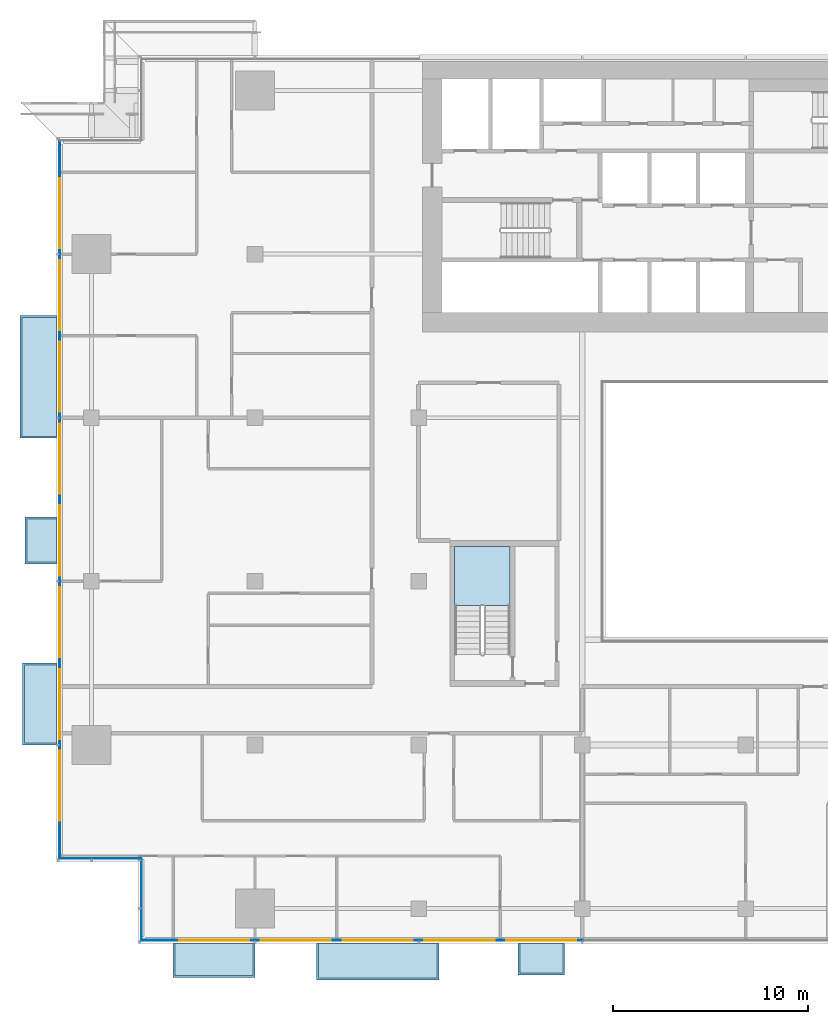
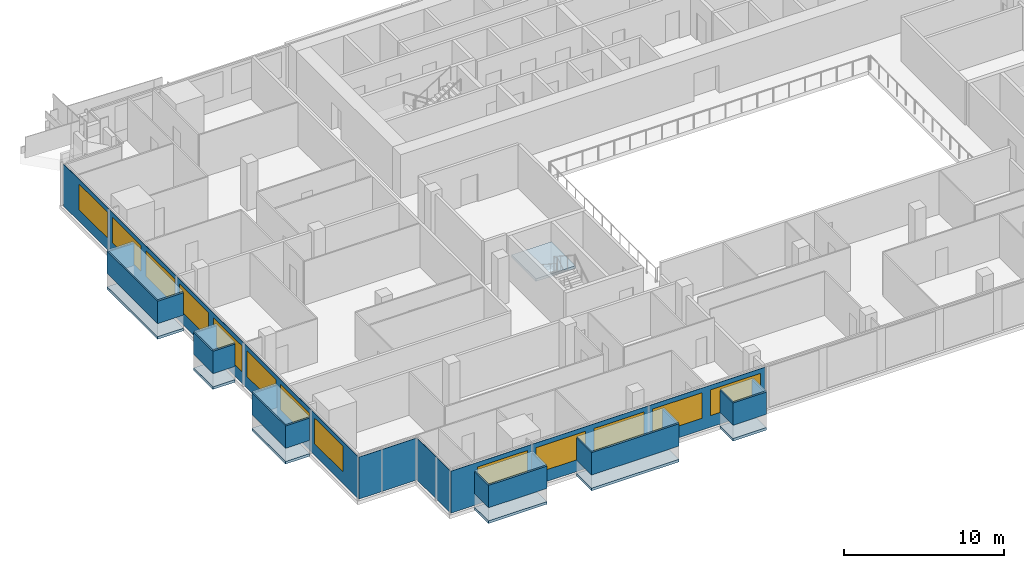
# One storey, part 14 of 29: 16 plates, 13 windows, 7 slabs, 13 openings, 5 elements without a shape of their own.
"""IFC4 building model written with IfcOpenShell, lengths in metres."""

from ifc_helpers import new_model, si_unit, direction, frame, frame_2d, origin, place, context, subcontext, project, spatial, polyline, rectangle, outline, extrude, material, layer, layer_set, type_object, element, fill, aggregate, save


model = new_model("IFC4")

# Units and contexts
model_context = context("Model", 3, precision=1e-05, world=origin(), true_north=direction((0.0, 1.0)))
body_context = subcontext(model_context, "Body", "Model", "MODEL_VIEW")
ifc_project = project(units=[si_unit("LENGTHUNIT", "METRE"), si_unit("AREAUNIT", "SQUARE_METRE"), si_unit("VOLUMEUNIT", "CUBIC_METRE"), si_unit("PLANEANGLEUNIT", "RADIAN"), si_unit("MASSUNIT", "GRAM", prefix="KILO")], contexts=[model_context])

# Site, building, storey
site_placement = place(None, origin())
site = spatial("IfcSite", under=ifc_project, at=site_placement, CompositionType="ELEMENT")
building_placement = place(site_placement, origin())
building = spatial("IfcBuilding", under=site, at=building_placement, Name="Saffron Gate Tower", CompositionType="ELEMENT")
storey_placement = place(building_placement, frame((0.0, 0.0, 106.050048828125)))
storey = spatial("IfcBuildingStorey", under=building, at=storey_placement, Name="L24", CompositionType="ELEMENT", Elevation=106.050048828125)

# Curtain wall, plate, openings, windows
ifc_material_1 = material(Name="Aluminium, bronze anodised", Category="aluminium")
curtain_wall_type_1 = type_object("IfcCurtainWallType", Name="CWS1 curtain wall front facade", PredefinedType="NOTDEFINED", material=ifc_material_1)
curtain_wall_1_placement = place(storey_placement, origin())
curtain_wall_1 = element("IfcCurtainWall", 1, at=curtain_wall_1_placement, inside=storey, type_object=curtain_wall_type_1, Name="CWS1 run 1", PredefinedType="NOTDEFINED")
ifc_material_2 = material(Name="Fritted bronze-tinted laminated glass", Category="glass")
ifc_layer_1 = layer(ifc_material_2, 0.028076171875)
ifc_layer_set_1 = layer_set([ifc_layer_1], Name="CWS1 fixed glass")
plate_type_1 = type_object("IfcPlateType", Name="CWS1 fixed glass", PredefinedType="CURTAIN_PANEL", material=ifc_layer_set_1)
plate_1_placement = place(storey_placement, frame((52.387939453125, 30.174072265625, 0.0), z_axis=(0.0, 0.0, 1.0), x_axis=(1.0, 0.0, 0.0)))
plate_1 = element("IfcPlate", 2, at=plate_1_placement, type_object=plate_type_1, Name="CWS1 glass panel", PredefinedType="CURTAIN_PANEL", context=body_context, shape_type="SweptSolid", body=[
    extrude(rectangle(XDim=22.64208984375, YDim=0.028076171875, at=frame_2d((11.321044921875, 0.0))), origin(), (0.0, 0.0, 1.0), 3.199951171875),
])
opening_1_placement = place(plate_1_placement, frame((1.912109375, 0.0, 0.89990234375)))
opening_1 = element("IfcOpeningElement", 3, at=opening_1_placement, cuts=plate_1, Name="Opening W1", PredefinedType="OPENING", context=body_context, shape_type="SweptSolid", body=[
    extrude(rectangle(XDim=3.60009765625, YDim=1.949951171875, at=frame_2d((1.800048828125, 0.97509765625))), frame((0.0, 0.02392578125, 0.0), z_axis=(0.0, -1.0, 0.0), x_axis=(1.0, 0.0, 0.0)), (0.0, 0.0, 1.0), 0.048095703125),
])
opening_2_placement = place(plate_1_placement, frame((6.112060546875, 0.0, 0.89990234375)))
opening_2 = element("IfcOpeningElement", 4, at=opening_2_placement, cuts=plate_1, Name="Opening W1", PredefinedType="OPENING", context=body_context, shape_type="SweptSolid", body=[
    extrude(rectangle(XDim=3.60009765625, YDim=1.949951171875, at=frame_2d((1.800048828125, 0.97509765625))), frame((0.0, 0.02392578125, 0.0), z_axis=(0.0, -1.0, 0.0), x_axis=(1.0, 0.0, 0.0)), (0.0, 0.0, 1.0), 0.048095703125),
])
opening_3_placement = place(plate_1_placement, frame((10.31201171875, 0.0, 0.89990234375)))
opening_3 = element("IfcOpeningElement", 5, at=opening_3_placement, cuts=plate_1, Name="Opening W1", PredefinedType="OPENING", context=body_context, shape_type="SweptSolid", body=[
    extrude(rectangle(XDim=3.60009765625, YDim=1.949951171875, at=frame_2d((1.800048828125, 0.97509765625))), frame((0.0, 0.02392578125, 0.0), z_axis=(0.0, -1.0, 0.0), x_axis=(1.0, 0.0, 0.0)), (0.0, 0.0, 1.0), 0.048095703125),
])
opening_4_placement = place(plate_1_placement, frame((14.511962890625, 0.0, 0.89990234375)))
opening_4 = element("IfcOpeningElement", 6, at=opening_4_placement, cuts=plate_1, Name="Opening W1", PredefinedType="OPENING", context=body_context, shape_type="SweptSolid", body=[
    extrude(rectangle(XDim=3.60009765625, YDim=1.949951171875, at=frame_2d((1.800048828125, 0.97509765625))), frame((0.0, 0.02392578125, 0.0), z_axis=(0.0, -1.0, 0.0), x_axis=(1.0, 0.0, 0.0)), (0.0, 0.0, 1.0), 0.048095703125),
])
opening_5_placement = place(plate_1_placement, frame((18.7119140625, 0.0, 0.89990234375)))
opening_5 = element("IfcOpeningElement", 7, at=opening_5_placement, cuts=plate_1, Name="Opening W1", PredefinedType="OPENING", context=body_context, shape_type="SweptSolid", body=[
    extrude(rectangle(XDim=3.60009765625, YDim=1.949951171875, at=frame_2d((1.800048828125, 0.97509765625))), frame((0.0, 0.02392578125, 0.0), z_axis=(0.0, -1.0, 0.0), x_axis=(1.0, 0.0, 0.0)), (0.0, 0.0, 1.0), 0.048095703125),
])
ifc_material_3 = material(Name="Fritted bronze-tinted laminated glass in bronze frame", Category="glass")
ifc_layer_2 = layer(ifc_material_3, 0.06005859375)
ifc_layer_set_2 = layer_set([ifc_layer_2], Name="W1 operable panel 3600x1950")
window_type = type_object("IfcWindowType", Name="W1 operable panel 3600x1950", PartitioningType="DOUBLE_PANEL_HORIZONTAL", PredefinedType="WINDOW", material=ifc_layer_set_2)
window_1_placement = place(opening_1_placement, origin())
window_1 = element("IfcWindow", 8, at=window_1_placement, type_object=window_type, Name="W1 operable panel", OverallHeight=1.949951171875, OverallWidth=3.60009765625, PartitioningType="SINGLE_PANEL", PredefinedType="WINDOW", context=body_context, shape_type="SweptSolid", body=[
    extrude(rectangle(XDim=3.60009765625, YDim=1.949951171875, at=frame_2d((1.800048828125, 0.97509765625))), frame((0.0, 0.013671875, 0.0), z_axis=(0.0, -1.0, 0.0), x_axis=(1.0, 0.0, 0.0)), (0.0, 0.0, 1.0), 0.027587890625),
])
fill(opening_1, window_1)
window_2_placement = place(opening_2_placement, origin())
window_2 = element("IfcWindow", 9, at=window_2_placement, type_object=window_type, Name="W1 operable panel", OverallHeight=1.949951171875, OverallWidth=3.60009765625, PartitioningType="SINGLE_PANEL", PredefinedType="WINDOW", context=body_context, shape_type="SweptSolid", body=[
    extrude(rectangle(XDim=3.60009765625, YDim=1.949951171875, at=frame_2d((1.800048828125, 0.97509765625))), frame((0.0, 0.013671875, 0.0), z_axis=(0.0, -1.0, 0.0), x_axis=(1.0, 0.0, 0.0)), (0.0, 0.0, 1.0), 0.027587890625),
])
fill(opening_2, window_2)
window_3_placement = place(opening_3_placement, origin())
window_3 = element("IfcWindow", 10, at=window_3_placement, type_object=window_type, Name="W1 operable panel", OverallHeight=1.949951171875, OverallWidth=3.60009765625, PartitioningType="SINGLE_PANEL", PredefinedType="WINDOW", context=body_context, shape_type="SweptSolid", body=[
    extrude(rectangle(XDim=3.60009765625, YDim=1.949951171875, at=frame_2d((1.800048828125, 0.97509765625))), frame((0.0, 0.013671875, 0.0), z_axis=(0.0, -1.0, 0.0), x_axis=(1.0, 0.0, 0.0)), (0.0, 0.0, 1.0), 0.027587890625),
])
fill(opening_3, window_3)
window_4_placement = place(opening_4_placement, origin())
window_4 = element("IfcWindow", 11, at=window_4_placement, type_object=window_type, Name="W1 operable panel", OverallHeight=1.949951171875, OverallWidth=3.60009765625, PartitioningType="SINGLE_PANEL", PredefinedType="WINDOW", context=body_context, shape_type="SweptSolid", body=[
    extrude(rectangle(XDim=3.60009765625, YDim=1.949951171875, at=frame_2d((1.800048828125, 0.97509765625))), frame((0.0, 0.013671875, 0.0), z_axis=(0.0, -1.0, 0.0), x_axis=(1.0, 0.0, 0.0)), (0.0, 0.0, 1.0), 0.027587890625),
])
fill(opening_4, window_4)
window_5_placement = place(opening_5_placement, origin())
window_5 = element("IfcWindow", 12, at=window_5_placement, type_object=window_type, Name="W1 operable panel", OverallHeight=1.949951171875, OverallWidth=3.60009765625, PartitioningType="SINGLE_PANEL", PredefinedType="WINDOW", context=body_context, shape_type="SweptSolid", body=[
    extrude(rectangle(XDim=3.60009765625, YDim=1.949951171875, at=frame_2d((1.800048828125, 0.97509765625))), frame((0.0, 0.013671875, 0.0), z_axis=(0.0, -1.0, 0.0), x_axis=(1.0, 0.0, 0.0)), (0.0, 0.0, 1.0), 0.027587890625),
])
fill(opening_5, window_5)
aggregate(curtain_wall_1, [plate_1, window_1, window_2, window_3, window_4, window_5])

curtain_wall_type_2 = type_object("IfcCurtainWallType", Name="CWS2 curtain wall side facades", PredefinedType="NOTDEFINED", material=ifc_material_1)
curtain_wall_2_placement = place(storey_placement, origin())
curtain_wall_2 = element("IfcCurtainWall", 13, at=curtain_wall_2_placement, inside=storey, type_object=curtain_wall_type_2, Name="CWS2 run 10", PredefinedType="NOTDEFINED")
ifc_layer_3 = layer(ifc_material_2, 0.028076171875)
ifc_layer_set_3 = layer_set([ifc_layer_3], Name="CWS2 fixed glass")
plate_type_2 = type_object("IfcPlateType", Name="CWS2 fixed glass", PredefinedType="CURTAIN_PANEL", material=ifc_layer_set_3)
plate_2_placement = place(storey_placement, frame((48.174072265625, 71.2119140625, 0.0), z_axis=(0.0, 0.0, 1.0), x_axis=(0.0, -1.0, 0.0)))
plate_2 = element("IfcPlate", 14, at=plate_2_placement, type_object=plate_type_2, Name="CWS2 glass panel", PredefinedType="CURTAIN_PANEL", context=body_context, shape_type="SweptSolid", body=[
    extrude(rectangle(XDim=36.823974609375, YDim=0.028076171875, at=frame_2d((18.412109375, 0.0))), origin(), (0.0, 0.0, 1.0), 3.199951171875),
])
opening_6_placement = place(plate_2_placement, frame((1.912109375, 0.0, 0.89990234375)))
opening_6 = element("IfcOpeningElement", 15, at=opening_6_placement, cuts=plate_2, Name="Opening W1", PredefinedType="OPENING", context=body_context, shape_type="SweptSolid", body=[
    extrude(rectangle(XDim=3.60009765625, YDim=1.949951171875, at=frame_2d((1.800048828125, 0.97509765625))), frame((0.0, 0.02392578125, 0.0), z_axis=(0.0, -1.0, 0.0), x_axis=(1.0, 0.0, 0.0)), (0.0, 0.0, 1.0), 0.048095703125),
])
opening_7_placement = place(plate_2_placement, frame((6.112060546875, 0.0, 0.89990234375)))
opening_7 = element("IfcOpeningElement", 16, at=opening_7_placement, cuts=plate_2, Name="Opening W1", PredefinedType="OPENING", context=body_context, shape_type="SweptSolid", body=[
    extrude(rectangle(XDim=3.60009765625, YDim=1.949951171875, at=frame_2d((1.800048828125, 0.97509765625))), frame((0.0, 0.02392578125, 0.0), z_axis=(0.0, -1.0, 0.0), x_axis=(1.0, 0.0, 0.0)), (0.0, 0.0, 1.0), 0.048095703125),
])
opening_8_placement = place(plate_2_placement, frame((10.31201171875, 0.0, 0.89990234375)))
opening_8 = element("IfcOpeningElement", 17, at=opening_8_placement, cuts=plate_2, Name="Opening W1", PredefinedType="OPENING", context=body_context, shape_type="SweptSolid", body=[
    extrude(rectangle(XDim=3.60009765625, YDim=1.949951171875, at=frame_2d((1.800048828125, 0.97509765625))), frame((0.0, 0.02392578125, 0.0), z_axis=(0.0, -1.0, 0.0), x_axis=(1.0, 0.0, 0.0)), (0.0, 0.0, 1.0), 0.048095703125),
])
opening_9_placement = place(plate_2_placement, frame((14.511962890625, 0.0, 0.89990234375)))
opening_9 = element("IfcOpeningElement", 18, at=opening_9_placement, cuts=plate_2, Name="Opening W1", PredefinedType="OPENING", context=body_context, shape_type="SweptSolid", body=[
    extrude(rectangle(XDim=3.60009765625, YDim=1.949951171875, at=frame_2d((1.800048828125, 0.97509765625))), frame((0.0, 0.02392578125, 0.0), z_axis=(0.0, -1.0, 0.0), x_axis=(1.0, 0.0, 0.0)), (0.0, 0.0, 1.0), 0.048095703125),
])
opening_10_placement = place(plate_2_placement, frame((18.7119140625, 0.0, 0.89990234375)))
opening_10 = element("IfcOpeningElement", 19, at=opening_10_placement, cuts=plate_2, Name="Opening W1", PredefinedType="OPENING", context=body_context, shape_type="SweptSolid", body=[
    extrude(rectangle(XDim=3.60009765625, YDim=1.949951171875, at=frame_2d((1.800048828125, 0.97509765625))), frame((0.0, 0.02392578125, 0.0), z_axis=(0.0, -1.0, 0.0), x_axis=(1.0, 0.0, 0.0)), (0.0, 0.0, 1.0), 0.048095703125),
])
opening_11_placement = place(plate_2_placement, frame((22.912109375, 0.0, 0.89990234375)))
opening_11 = element("IfcOpeningElement", 20, at=opening_11_placement, cuts=plate_2, Name="Opening W1", PredefinedType="OPENING", context=body_context, shape_type="SweptSolid", body=[
    extrude(rectangle(XDim=3.60009765625, YDim=1.949951171875, at=frame_2d((1.800048828125, 0.97509765625))), frame((0.0, 0.02392578125, 0.0), z_axis=(0.0, -1.0, 0.0), x_axis=(1.0, 0.0, 0.0)), (0.0, 0.0, 1.0), 0.048095703125),
])
opening_12_placement = place(plate_2_placement, frame((27.112060546875, 0.0, 0.89990234375)))
opening_12 = element("IfcOpeningElement", 21, at=opening_12_placement, cuts=plate_2, Name="Opening W1", PredefinedType="OPENING", context=body_context, shape_type="SweptSolid", body=[
    extrude(rectangle(XDim=3.60009765625, YDim=1.949951171875, at=frame_2d((1.800048828125, 0.97509765625))), frame((0.0, 0.02392578125, 0.0), z_axis=(0.0, -1.0, 0.0), x_axis=(1.0, 0.0, 0.0)), (0.0, 0.0, 1.0), 0.048095703125),
])
opening_13_placement = place(plate_2_placement, frame((31.31201171875, 0.0, 0.89990234375)))
opening_13 = element("IfcOpeningElement", 22, at=opening_13_placement, cuts=plate_2, Name="Opening W1", PredefinedType="OPENING", context=body_context, shape_type="SweptSolid", body=[
    extrude(rectangle(XDim=3.60009765625, YDim=1.949951171875, at=frame_2d((1.800048828125, 0.97509765625))), frame((0.0, 0.02392578125, 0.0), z_axis=(0.0, -1.0, 0.0), x_axis=(1.0, 0.0, 0.0)), (0.0, 0.0, 1.0), 0.048095703125),
])
window_6_placement = place(opening_6_placement, origin())
window_6 = element("IfcWindow", 23, at=window_6_placement, type_object=window_type, Name="W1 operable panel", OverallHeight=1.949951171875, OverallWidth=3.60009765625, PartitioningType="SINGLE_PANEL", PredefinedType="WINDOW", context=body_context, shape_type="SweptSolid", body=[
    extrude(rectangle(XDim=3.60009765625, YDim=1.949951171875, at=frame_2d((1.800048828125, 0.97509765625))), frame((0.0, 0.013671875, 0.0), z_axis=(0.0, -1.0, 0.0), x_axis=(1.0, 0.0, 0.0)), (0.0, 0.0, 1.0), 0.027587890625),
])
fill(opening_6, window_6)
window_7_placement = place(opening_7_placement, origin())
window_7 = element("IfcWindow", 24, at=window_7_placement, type_object=window_type, Name="W1 operable panel", OverallHeight=1.949951171875, OverallWidth=3.60009765625, PartitioningType="SINGLE_PANEL", PredefinedType="WINDOW", context=body_context, shape_type="SweptSolid", body=[
    extrude(rectangle(XDim=3.60009765625, YDim=1.949951171875, at=frame_2d((1.800048828125, 0.97509765625))), frame((0.0, 0.013671875, 0.0), z_axis=(0.0, -1.0, 0.0), x_axis=(1.0, 0.0, 0.0)), (0.0, 0.0, 1.0), 0.027587890625),
])
fill(opening_7, window_7)
window_8_placement = place(opening_8_placement, origin())
window_8 = element("IfcWindow", 25, at=window_8_placement, type_object=window_type, Name="W1 operable panel", OverallHeight=1.949951171875, OverallWidth=3.60009765625, PartitioningType="SINGLE_PANEL", PredefinedType="WINDOW", context=body_context, shape_type="SweptSolid", body=[
    extrude(rectangle(XDim=3.60009765625, YDim=1.949951171875, at=frame_2d((1.800048828125, 0.97509765625))), frame((0.0, 0.013671875, 0.0), z_axis=(0.0, -1.0, 0.0), x_axis=(1.0, 0.0, 0.0)), (0.0, 0.0, 1.0), 0.027587890625),
])
fill(opening_8, window_8)
window_9_placement = place(opening_9_placement, origin())
window_9 = element("IfcWindow", 26, at=window_9_placement, type_object=window_type, Name="W1 operable panel", OverallHeight=1.949951171875, OverallWidth=3.60009765625, PartitioningType="SINGLE_PANEL", PredefinedType="WINDOW", context=body_context, shape_type="SweptSolid", body=[
    extrude(rectangle(XDim=3.60009765625, YDim=1.949951171875, at=frame_2d((1.800048828125, 0.97509765625))), frame((0.0, 0.013671875, 0.0), z_axis=(0.0, -1.0, 0.0), x_axis=(1.0, 0.0, 0.0)), (0.0, 0.0, 1.0), 0.027587890625),
])
fill(opening_9, window_9)
window_10_placement = place(opening_10_placement, origin())
window_10 = element("IfcWindow", 27, at=window_10_placement, type_object=window_type, Name="W1 operable panel", OverallHeight=1.949951171875, OverallWidth=3.60009765625, PartitioningType="SINGLE_PANEL", PredefinedType="WINDOW", context=body_context, shape_type="SweptSolid", body=[
    extrude(rectangle(XDim=3.60009765625, YDim=1.949951171875, at=frame_2d((1.800048828125, 0.97509765625))), frame((0.0, 0.013671875, 0.0), z_axis=(0.0, -1.0, 0.0), x_axis=(1.0, 0.0, 0.0)), (0.0, 0.0, 1.0), 0.027587890625),
])
fill(opening_10, window_10)
window_11_placement = place(opening_11_placement, origin())
window_11 = element("IfcWindow", 28, at=window_11_placement, type_object=window_type, Name="W1 operable panel", OverallHeight=1.949951171875, OverallWidth=3.60009765625, PartitioningType="SINGLE_PANEL", PredefinedType="WINDOW", context=body_context, shape_type="SweptSolid", body=[
    extrude(rectangle(XDim=3.60009765625, YDim=1.949951171875, at=frame_2d((1.800048828125, 0.97509765625))), frame((0.0, 0.013671875, 0.0), z_axis=(0.0, -1.0, 0.0), x_axis=(1.0, 0.0, 0.0)), (0.0, 0.0, 1.0), 0.027587890625),
])
fill(opening_11, window_11)
window_12_placement = place(opening_12_placement, origin())
window_12 = element("IfcWindow", 29, at=window_12_placement, type_object=window_type, Name="W1 operable panel", OverallHeight=1.949951171875, OverallWidth=3.60009765625, PartitioningType="SINGLE_PANEL", PredefinedType="WINDOW", context=body_context, shape_type="SweptSolid", body=[
    extrude(rectangle(XDim=3.60009765625, YDim=1.949951171875, at=frame_2d((1.800048828125, 0.97509765625))), frame((0.0, 0.013671875, 0.0), z_axis=(0.0, -1.0, 0.0), x_axis=(1.0, 0.0, 0.0)), (0.0, 0.0, 1.0), 0.027587890625),
])
fill(opening_12, window_12)
window_13_placement = place(opening_13_placement, origin())
window_13 = element("IfcWindow", 30, at=window_13_placement, type_object=window_type, Name="W1 operable panel", OverallHeight=1.949951171875, OverallWidth=3.60009765625, PartitioningType="SINGLE_PANEL", PredefinedType="WINDOW", context=body_context, shape_type="SweptSolid", body=[
    extrude(rectangle(XDim=3.60009765625, YDim=1.949951171875, at=frame_2d((1.800048828125, 0.97509765625))), frame((0.0, 0.013671875, 0.0), z_axis=(0.0, -1.0, 0.0), x_axis=(1.0, 0.0, 0.0)), (0.0, 0.0, 1.0), 0.027587890625),
])
fill(opening_13, window_13)
aggregate(curtain_wall_2, [plate_2, window_6, window_7, window_8, window_9, window_10, window_11, window_12, window_13])

# Curtain wall, plate
curtain_wall_type_3 = type_object("IfcCurtainWallType", Name="CWS4 curtain wall corner returns", PredefinedType="NOTDEFINED", material=ifc_material_1)
curtain_wall_3_placement = place(storey_placement, origin())
curtain_wall_3 = element("IfcCurtainWall", 31, at=curtain_wall_3_placement, inside=storey, type_object=curtain_wall_type_3, Name="CWS4 run 11", PredefinedType="NOTDEFINED")
ifc_layer_4 = layer(ifc_material_2, 0.028076171875)
ifc_layer_set_4 = layer_set([ifc_layer_4], Name="CWS4 fixed glass")
plate_type_3 = type_object("IfcPlateType", Name="CWS4 fixed glass", PredefinedType="CURTAIN_PANEL", material=ifc_layer_set_4)
plate_3_placement = place(storey_placement, frame((48.18798828125, 34.3740234375, 0.0), z_axis=(0.0, 0.0, 1.0), x_axis=(1.0, 0.0, 0.0)))
plate_3 = element("IfcPlate", 32, at=plate_3_placement, type_object=plate_type_3, Name="CWS4 glass panel", PredefinedType="CURTAIN_PANEL", context=body_context, shape_type="SweptSolid", body=[
    extrude(rectangle(XDim=4.172119140625, YDim=0.028076171875, at=frame_2d((2.0859375, 0.0))), origin(), (0.0, 0.0, 1.0), 3.199951171875),
])
aggregate(curtain_wall_3, [plate_3])

curtain_wall_4_placement = place(storey_placement, origin())
curtain_wall_4 = element("IfcCurtainWall", 33, at=curtain_wall_4_placement, inside=storey, type_object=curtain_wall_type_3, Name="CWS4 run 12", PredefinedType="NOTDEFINED")
plate_4_placement = place(storey_placement, frame((52.3740234375, 34.360107421875, 0.0), z_axis=(0.0, 0.0, 1.0), x_axis=(0.0, -1.0, 0.0)))
plate_4 = element("IfcPlate", 34, at=plate_4_placement, type_object=plate_type_3, Name="CWS4 glass panel", PredefinedType="CURTAIN_PANEL", context=body_context, shape_type="SweptSolid", body=[
    extrude(rectangle(XDim=4.172119140625, YDim=0.028076171875, at=frame_2d((2.0859375, 0.0))), origin(), (0.0, 0.0, 1.0), 3.199951171875),
])
aggregate(curtain_wall_4, [plate_4])

# Stair, slab
ifc_material_4 = material(Name="Concrete C40", Category="concrete")
stair_type = type_object("IfcStairType", Name="ST7 Stair 1350 wide, 20 risers of 180", PredefinedType="HALF_TURN_STAIR", material=ifc_material_4)
stair_placement = place(storey_placement, origin())
stair = element("IfcStair", 35, at=stair_placement, inside=storey, type_object=stair_type, Name="L24 Exit stair D", PredefinedType="HALF_TURN_STAIR")
ifc_layer_5 = layer(ifc_material_4, 0.199951171875)
ifc_layer_set_5 = layer_set([ifc_layer_5], Name="SL1 Stair landing 200")
slab_type_1 = type_object("IfcSlabType", Name="SL1 Stair landing 200", PredefinedType="LANDING", material=ifc_layer_set_5)
slab_1_placement = place(storey_placement, frame((0.0, 0.0, 1.599853515625)))
slab_1 = element("IfcSlab", 36, at=slab_1_placement, type_object=slab_type_1, Name="ST-D landing 1", PredefinedType="LANDING", context=body_context, shape_type="SweptSolid", body=[
    extrude(outline(polyline([(71.300048828125, 47.3701171875), (71.300048828125, 50.39990234375), (68.449951171875, 50.39990234375), (68.449951171875, 47.3701171875), (71.300048828125, 47.3701171875)])), origin(), (0.0, 0.0, 1.0), 0.2001953125),
])
aggregate(stair, [slab_1])

# Slabs
ifc_material_5 = material(Name="Timber deck on bronze frame", Category="wood")
ifc_layer_6 = layer(ifc_material_5, 0.199951171875)
ifc_layer_set_6 = layer_set([ifc_layer_6], Name="WB1 box floor")
slab_type_2 = type_object("IfcSlabType", Name="WB1 box floor", PredefinedType="FLOOR", material=ifc_layer_set_6)
slab_2_placement = place(storey_placement, frame((0.0, 0.0, -0.199951171875)))
element("IfcSlab", 37, at=slab_2_placement, inside=storey, type_object=slab_type_2, Name="WINDOW BOX floor", PredefinedType="FLOOR", context=body_context, shape_type="SweptSolid", body=[
    extrude(outline(polyline([(54.0, 30.0), (58.199951171875, 30.0), (58.199951171875, 28.26708984375), (54.0, 28.26708984375), (54.0, 30.0)])), origin(), (0.0, 0.0, 1.0), 0.199951171875),
])
slab_3_placement = place(storey_placement, frame((0.0, 0.0, -0.199951171875)))
element("IfcSlab", 38, at=slab_3_placement, inside=storey, type_object=slab_type_2, Name="WINDOW BOX floor", PredefinedType="FLOOR", context=body_context, shape_type="SweptSolid", body=[
    extrude(outline(polyline([(61.35009765625, 30.0), (67.64990234375, 30.0), (67.64990234375, 28.133056640625), (61.35009765625, 28.133056640625), (61.35009765625, 30.0)])), origin(), (0.0, 0.0, 1.0), 0.199951171875),
])
slab_4_placement = place(storey_placement, frame((0.0, 0.0, -0.199951171875)))
element("IfcSlab", 39, at=slab_4_placement, inside=storey, type_object=slab_type_2, Name="WINDOW BOX floor", PredefinedType="FLOOR", context=body_context, shape_type="SweptSolid", body=[
    extrude(outline(polyline([(71.699951171875, 30.0), (74.10009765625, 30.0), (74.10009765625, 28.39990234375), (71.699951171875, 28.39990234375), (71.699951171875, 30.0)])), origin(), (0.0, 0.0, 1.0), 0.199951171875),
])
slab_5_placement = place(storey_placement, frame((0.0, 0.0, -0.199951171875)))
element("IfcSlab", 40, at=slab_5_placement, inside=storey, type_object=slab_type_2, Name="WINDOW BOX floor", PredefinedType="FLOOR", context=body_context, shape_type="SweptSolid", body=[
    extrude(outline(polyline([(48.0, 62.25), (48.0, 55.949951171875), (46.133056640625, 55.949951171875), (46.133056640625, 62.25), (48.0, 62.25)])), origin(), (0.0, 0.0, 1.0), 0.199951171875),
])
slab_6_placement = place(storey_placement, frame((0.0, 0.0, -0.199951171875)))
element("IfcSlab", 41, at=slab_6_placement, inside=storey, type_object=slab_type_2, Name="WINDOW BOX floor", PredefinedType="FLOOR", context=body_context, shape_type="SweptSolid", body=[
    extrude(outline(polyline([(48.0, 51.89990234375), (48.0, 49.5), (46.39990234375, 49.5), (46.39990234375, 51.89990234375), (48.0, 51.89990234375)])), origin(), (0.0, 0.0, 1.0), 0.199951171875),
])
slab_7_placement = place(storey_placement, frame((0.0, 0.0, -0.199951171875)))
element("IfcSlab", 42, at=slab_7_placement, inside=storey, type_object=slab_type_2, Name="WINDOW BOX floor", PredefinedType="FLOOR", context=body_context, shape_type="SweptSolid", body=[
    extrude(outline(polyline([(48.0, 44.39990234375), (48.0, 40.199951171875), (46.26708984375, 40.199951171875), (46.26708984375, 44.39990234375), (48.0, 44.39990234375)])), origin(), (0.0, 0.0, 1.0), 0.199951171875),
])

# Plates
ifc_layer_7 = layer(ifc_material_1, 0.1201171875)
ifc_layer_set_7 = layer_set([ifc_layer_7], Name="WB2 box roof")
plate_type_4 = type_object("IfcPlateType", Name="WB2 box roof", PredefinedType="SHEET", material=ifc_layer_set_7)
plate_5_placement = place(storey_placement, frame((0.0, 0.0, 2.699951171875)))
element("IfcPlate", 43, at=plate_5_placement, inside=storey, type_object=plate_type_4, Name="WINDOW BOX roof", PredefinedType="SHEET", context=body_context, shape_type="SweptSolid", body=[
    extrude(outline(polyline([(54.0, 30.0), (58.199951171875, 30.0), (58.199951171875, 28.26708984375), (54.0, 28.26708984375), (54.0, 30.0)])), origin(), (0.0, 0.0, 1.0), 0.1201171875),
])
plate_6_placement = place(storey_placement, frame((0.0, 0.0, 2.699951171875)))
element("IfcPlate", 44, at=plate_6_placement, inside=storey, type_object=plate_type_4, Name="WINDOW BOX roof", PredefinedType="SHEET", context=body_context, shape_type="SweptSolid", body=[
    extrude(outline(polyline([(61.35009765625, 30.0), (67.64990234375, 30.0), (67.64990234375, 28.133056640625), (61.35009765625, 28.133056640625), (61.35009765625, 30.0)])), origin(), (0.0, 0.0, 1.0), 0.1201171875),
])
plate_7_placement = place(storey_placement, frame((0.0, 0.0, 2.699951171875)))
element("IfcPlate", 45, at=plate_7_placement, inside=storey, type_object=plate_type_4, Name="WINDOW BOX roof", PredefinedType="SHEET", context=body_context, shape_type="SweptSolid", body=[
    extrude(outline(polyline([(71.699951171875, 30.0), (74.10009765625, 30.0), (74.10009765625, 28.39990234375), (71.699951171875, 28.39990234375), (71.699951171875, 30.0)])), origin(), (0.0, 0.0, 1.0), 0.1201171875),
])
plate_8_placement = place(storey_placement, frame((0.0, 0.0, 2.699951171875)))
element("IfcPlate", 46, at=plate_8_placement, inside=storey, type_object=plate_type_4, Name="WINDOW BOX roof", PredefinedType="SHEET", context=body_context, shape_type="SweptSolid", body=[
    extrude(outline(polyline([(48.0, 62.25), (48.0, 55.949951171875), (46.133056640625, 55.949951171875), (46.133056640625, 62.25), (48.0, 62.25)])), origin(), (0.0, 0.0, 1.0), 0.1201171875),
])
plate_9_placement = place(storey_placement, frame((0.0, 0.0, 2.699951171875)))
element("IfcPlate", 47, at=plate_9_placement, inside=storey, type_object=plate_type_4, Name="WINDOW BOX roof", PredefinedType="SHEET", context=body_context, shape_type="SweptSolid", body=[
    extrude(outline(polyline([(48.0, 51.89990234375), (48.0, 49.5), (46.39990234375, 49.5), (46.39990234375, 51.89990234375), (48.0, 51.89990234375)])), origin(), (0.0, 0.0, 1.0), 0.1201171875),
])
plate_10_placement = place(storey_placement, frame((0.0, 0.0, 2.699951171875)))
element("IfcPlate", 48, at=plate_10_placement, inside=storey, type_object=plate_type_4, Name="WINDOW BOX roof", PredefinedType="SHEET", context=body_context, shape_type="SweptSolid", body=[
    extrude(outline(polyline([(48.0, 44.39990234375), (48.0, 40.199951171875), (46.26708984375, 40.199951171875), (46.26708984375, 44.39990234375), (48.0, 44.39990234375)])), origin(), (0.0, 0.0, 1.0), 0.1201171875),
])
ifc_material_6 = material(Name="Clear low-iron laminated glass", Category="glass")
ifc_layer_8 = layer(ifc_material_6, 0.10009765625)
ifc_layer_set_8 = layer_set([ifc_layer_8], Name="WB6 box glazing")
plate_type_5 = type_object("IfcPlateType", Name="WB6 box glazing", PredefinedType="SHEET", material=ifc_layer_set_8)
plate_11_placement = place(storey_placement, frame((0.0, 0.0, 1.0)))
element("IfcPlate", 49, at=plate_11_placement, inside=storey, type_object=plate_type_5, Name="WINDOW BOX glazing", PredefinedType="SHEET", context=body_context, shape_type="SweptSolid", body=[
    extrude(outline(polyline([(54.0, 30.0), (54.10009765625, 30.0), (54.10009765625, 28.366943359375), (58.10009765625, 28.366943359375), (58.10009765625, 30.0), (58.199951171875, 30.0), (58.199951171875, 28.26708984375), (54.0, 28.26708984375), (54.0, 30.0)])), origin(), (0.0, 0.0, 1.0), 1.699951171875),
])
plate_12_placement = place(storey_placement, frame((0.0, 0.0, 1.0)))
element("IfcPlate", 50, at=plate_12_placement, inside=storey, type_object=plate_type_5, Name="WINDOW BOX glazing", PredefinedType="SHEET", context=body_context, shape_type="SweptSolid", body=[
    extrude(outline(polyline([(61.35009765625, 30.0), (61.449951171875, 30.0), (61.449951171875, 28.23291015625), (67.550048828125, 28.23291015625), (67.550048828125, 30.0), (67.64990234375, 30.0), (67.64990234375, 28.133056640625), (61.35009765625, 28.133056640625), (61.35009765625, 30.0)])), origin(), (0.0, 0.0, 1.0), 1.699951171875),
])
plate_13_placement = place(storey_placement, frame((0.0, 0.0, 1.0)))
element("IfcPlate", 51, at=plate_13_placement, inside=storey, type_object=plate_type_5, Name="WINDOW BOX glazing", PredefinedType="SHEET", context=body_context, shape_type="SweptSolid", body=[
    extrude(outline(polyline([(71.699951171875, 30.0), (71.800048828125, 30.0), (71.800048828125, 28.5), (74.0, 28.5), (74.0, 30.0), (74.10009765625, 30.0), (74.10009765625, 28.39990234375), (71.699951171875, 28.39990234375), (71.699951171875, 30.0)])), origin(), (0.0, 0.0, 1.0), 1.699951171875),
])
plate_14_placement = place(storey_placement, frame((0.0, 0.0, 1.0)))
element("IfcPlate", 52, at=plate_14_placement, inside=storey, type_object=plate_type_5, Name="WINDOW BOX glazing", PredefinedType="SHEET", context=body_context, shape_type="SweptSolid", body=[
    extrude(outline(polyline([(48.0, 62.25), (48.0, 62.14990234375), (46.23291015625, 62.14990234375), (46.23291015625, 56.050048828125), (48.0, 56.050048828125), (48.0, 55.949951171875), (46.133056640625, 55.949951171875), (46.133056640625, 62.25), (48.0, 62.25)])), origin(), (0.0, 0.0, 1.0), 1.699951171875),
])
plate_15_placement = place(storey_placement, frame((0.0, 0.0, 1.0)))
element("IfcPlate", 53, at=plate_15_placement, inside=storey, type_object=plate_type_5, Name="WINDOW BOX glazing", PredefinedType="SHEET", context=body_context, shape_type="SweptSolid", body=[
    extrude(outline(polyline([(48.0, 51.89990234375), (48.0, 51.800048828125), (46.5, 51.800048828125), (46.5, 49.60009765625), (48.0, 49.60009765625), (48.0, 49.5), (46.39990234375, 49.5), (46.39990234375, 51.89990234375), (48.0, 51.89990234375)])), origin(), (0.0, 0.0, 1.0), 1.699951171875),
])
plate_16_placement = place(storey_placement, frame((0.0, 0.0, 1.0)))
element("IfcPlate", 54, at=plate_16_placement, inside=storey, type_object=plate_type_5, Name="WINDOW BOX glazing", PredefinedType="SHEET", context=body_context, shape_type="SweptSolid", body=[
    extrude(outline(polyline([(48.0, 44.39990234375), (48.0, 44.300048828125), (46.366943359375, 44.300048828125), (46.366943359375, 40.300048828125), (48.0, 40.300048828125), (48.0, 40.199951171875), (46.26708984375, 40.199951171875), (46.26708984375, 44.39990234375), (48.0, 44.39990234375)])), origin(), (0.0, 0.0, 1.0), 1.699951171875),
])

save(model, "model.ifc")
